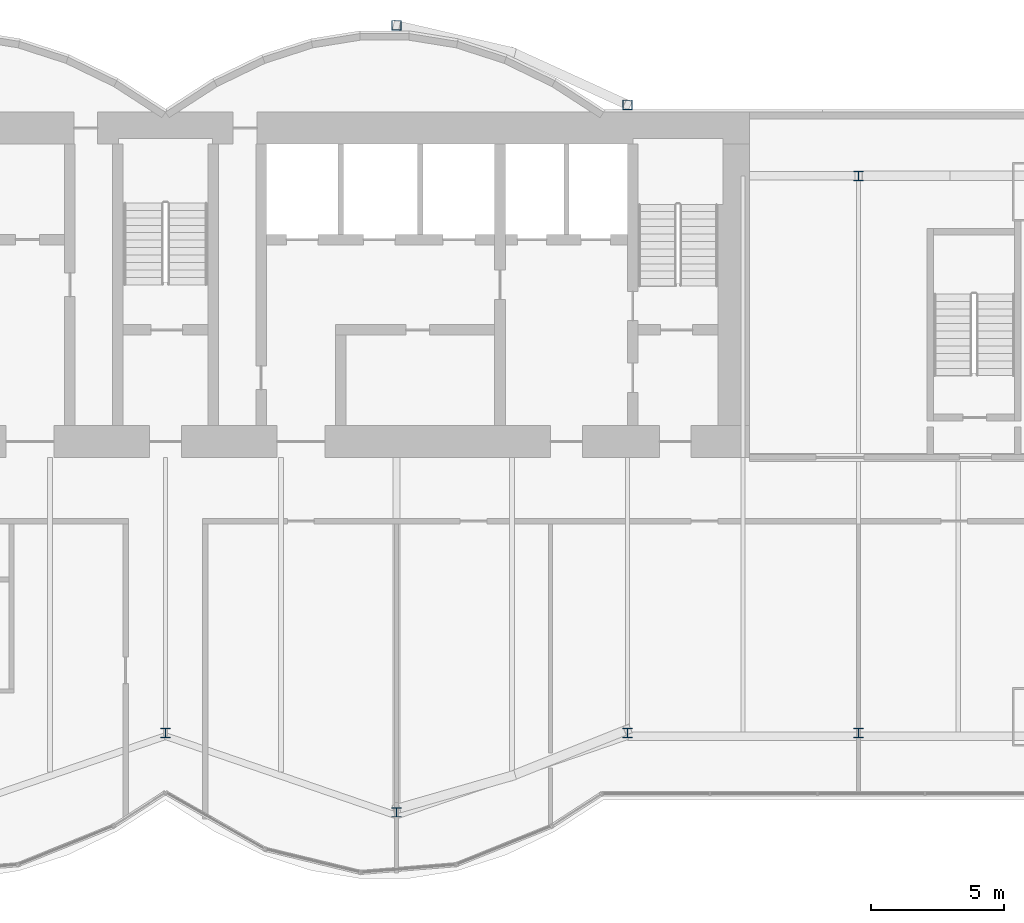
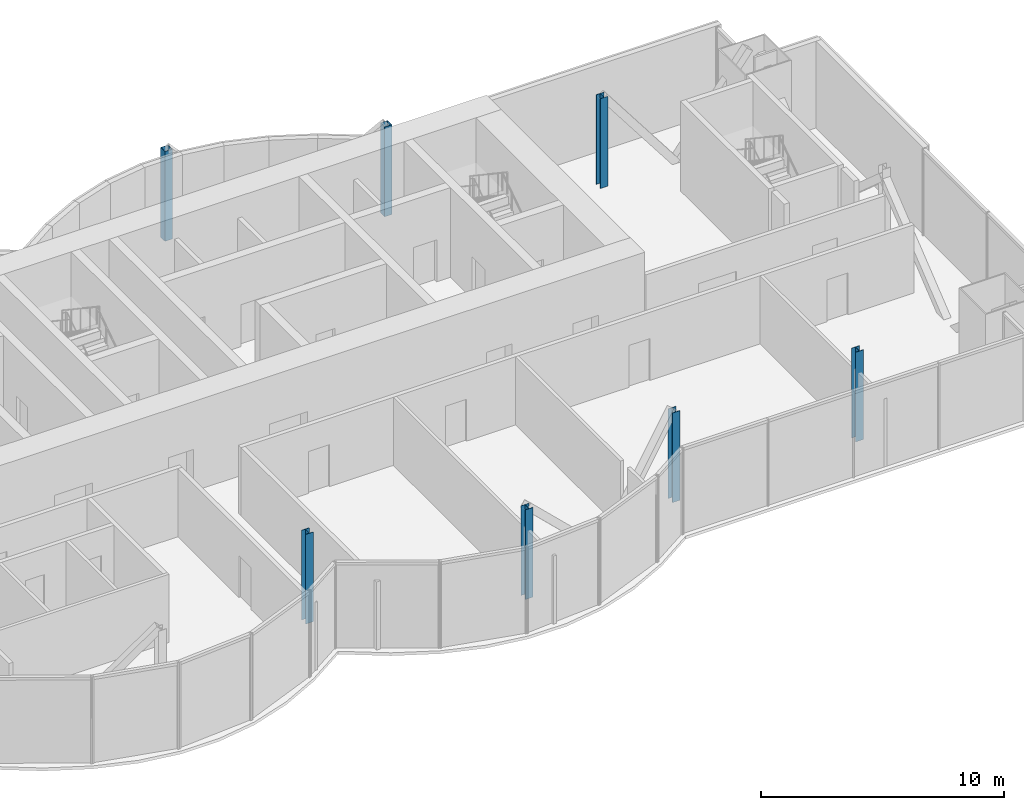
# One storey, part 2 of 17: 7 columns.
"""IFC4 building model written with IfcOpenShell, lengths in metres."""

from ifc_helpers import new_model, si_unit, direction, frame, origin, origin_2d, place, context, subcontext, project, spatial, hollow_rectangle, i_section, extrude, material, material_profile, profile_set, type_object, element, save


model = new_model("IFC4")

# Units and contexts
model_context = context("Model", 3, precision=1e-05, world=origin(), true_north=direction((0.0, 1.0)))
body_context = subcontext(model_context, "Body", "Model", "MODEL_VIEW")
ifc_project = project(units=[si_unit("LENGTHUNIT", "METRE"), si_unit("AREAUNIT", "SQUARE_METRE"), si_unit("VOLUMEUNIT", "CUBIC_METRE"), si_unit("PLANEANGLEUNIT", "RADIAN"), si_unit("MASSUNIT", "GRAM", prefix="KILO")], contexts=[model_context])

# Site, building, storey
site_placement = place(None, origin())
site = spatial("IfcSite", under=ifc_project, at=site_placement, CompositionType="ELEMENT")
building_placement = place(site_placement, origin())
building = spatial("IfcBuilding", under=site, at=building_placement, Name="Bicima Exchange Tower", CompositionType="ELEMENT")
storey_placement = place(building_placement, frame((0.0, 0.0, 320.0)))
storey = spatial("IfcBuildingStorey", under=building, at=storey_placement, Name="L72", CompositionType="ELEMENT", Elevation=320.0)

# Columns
ifc_material_1 = material(Name="Steel ASTM A992 Gr 50", Category="steel")
ifc_material_profile_1 = material_profile(ifc_material_1, i_section(OverallWidth=0.368408203125, OverallDepth=0.355712890625, WebThickness=0.01123046875, FlangeThickness=0.01806640625, at=origin_2d()))
ifc_profile_set_1 = profile_set([ifc_material_profile_1], Name="Steel ASTM A992 Gr 50")
column_type_1 = type_object("IfcColumnType", Name="Perimeter column W14x90", PredefinedType="COLUMN", material=ifc_profile_set_1)
for number, where, z_axis, x_axis, name in (
    (1, (0.0, -23.3740234375, 0.0), (0.0, 0.0, 1.0), (1.0, 0.0, 0.0), "Perimeter column grav-0.0f"),
    (2, (8.699951171875, -26.364990234375, 0.0), (0.0, 0.0, 1.0), (1.0, 0.0, 0.0), "Perimeter column grav+8.7f"),
    (3, (17.39990234375, -23.3740234375, 0.0), (0.0, 0.0, 1.0), (1.0, 0.0, 0.0), "Perimeter column grav+17.4f"),
    (4, (26.10009765625, -23.3740234375, 0.0), (0.0, 0.0, 1.0), (1.0, 0.0, 0.0), "Perimeter column grav+26.1f"),
    (5, (26.10009765625, -2.39990234375, 0.0), (0.0, 0.0, 1.0), (1.0, 0.0, 0.0), "Perimeter column grav+26.1r"),
):
    element("IfcColumn", number, at=place(storey_placement, frame(where, z_axis=z_axis, x_axis=x_axis)), inside=storey, type_object=column_type_1, Name=name, PredefinedType="COLUMN", context=body_context, shape_type="SweptSolid", body=[
        extrude(i_section(OverallWidth=0.368408203125, OverallDepth=0.355712890625, WebThickness=0.01123046875, FlangeThickness=0.01806640625, at=origin_2d()), origin(), (0.0, 0.0, 1.0), 4.5),
    ])
ifc_material_2 = material(Name="Steel ASTM A572 Gr 50", Category="steel")
ifc_material_profile_2 = material_profile(ifc_material_2, hollow_rectangle(XDim=0.355712890625, YDim=0.355712890625, WallThickness=0.01171875, at=origin_2d()))
ifc_profile_set_2 = profile_set([ifc_material_profile_2], Name="Steel ASTM A572 Gr 50")
column_type_2 = type_object("IfcColumnType", Name="Rear pilaster HSS14x14x1/2", PredefinedType="COLUMN", material=ifc_profile_set_2)
for number, where, z_axis, x_axis, name in (
    (6, (8.699951171875, 3.26904296875, 0.0), (0.0, 0.0, 1.0), (1.0, 0.0, 0.0), "Rear pilaster rexo+8.7r"),
    (7, (17.39990234375, 0.278076171875, 0.0), (0.0, 0.0, 1.0), (1.0, 0.0, 0.0), "Rear pilaster rexo+17.4r"),
):
    element("IfcColumn", number, at=place(storey_placement, frame(where, z_axis=z_axis, x_axis=x_axis)), inside=storey, type_object=column_type_2, Name=name, PredefinedType="COLUMN", context=body_context, shape_type="SweptSolid", body=[
        extrude(hollow_rectangle(XDim=0.355712890625, YDim=0.355712890625, WallThickness=0.01171875, at=origin_2d()), origin(), (0.0, 0.0, 1.0), 4.5),
    ])

save(model, "model.ifc")
